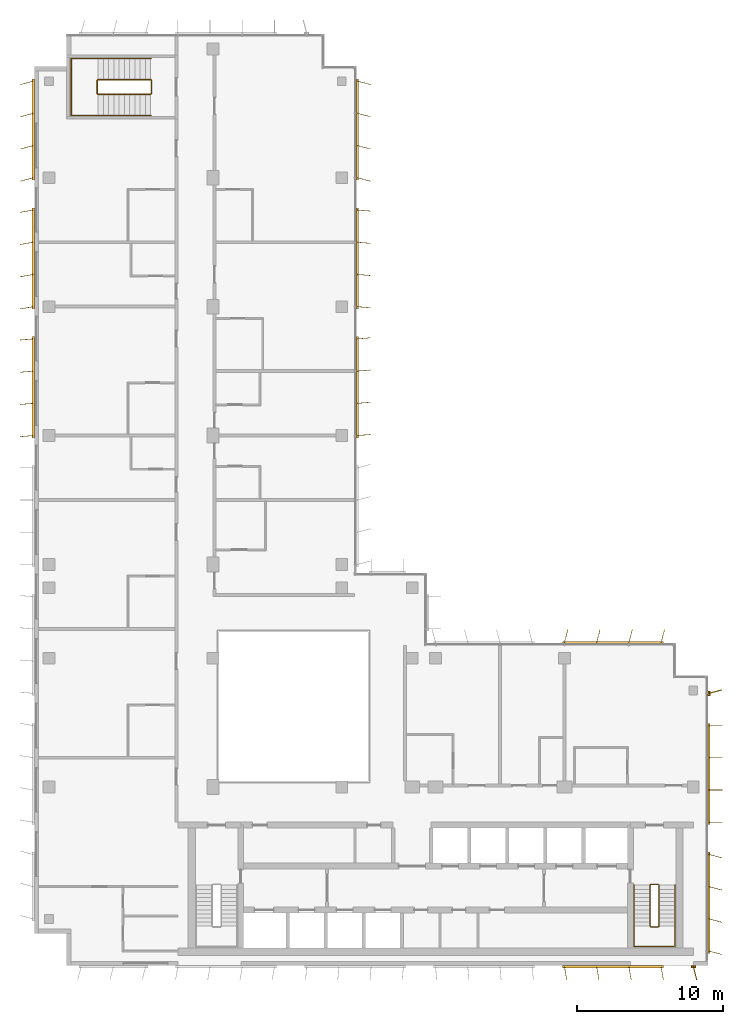
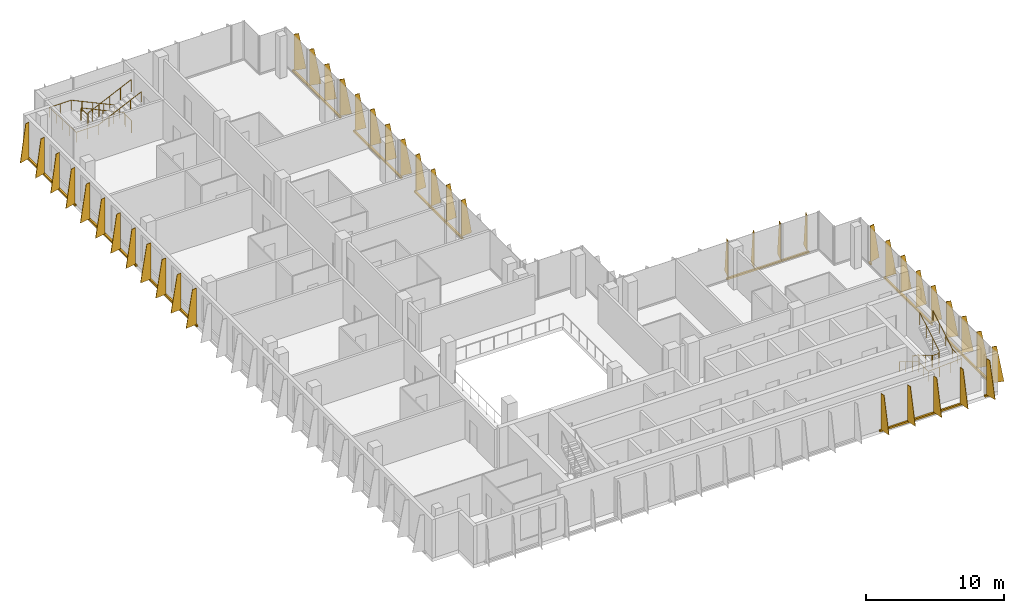
# One storey, part 15 of 16: 12 shading devices, 4 railings.
"""IFC4 building model written with IfcOpenShell, lengths in metres."""

from ifc_helpers import new_model, si_unit, direction, frame, origin, origin_2d, place, context, subcontext, project, spatial, polyline, rectangle, circle, outline, extrude, source, transform, mapped, material, layer, layer_set, type_object, element, save


model = new_model("IFC4")

# Units and contexts
model_context = context("Model", 3, precision=1e-05, world=origin(), true_north=direction((0.0, 1.0)))
body_context = subcontext(model_context, "Body", "Model", "MODEL_VIEW")
ifc_project = project(units=[si_unit("LENGTHUNIT", "METRE"), si_unit("AREAUNIT", "SQUARE_METRE"), si_unit("VOLUMEUNIT", "CUBIC_METRE"), si_unit("PLANEANGLEUNIT", "RADIAN"), si_unit("MASSUNIT", "GRAM", prefix="KILO")], contexts=[model_context])

# Site, building, storey
site_placement = place(None, origin())
site = spatial("IfcSite", under=ifc_project, at=site_placement, CompositionType="ELEMENT")
building_placement = place(site_placement, origin())
building = spatial("IfcBuilding", under=site, at=building_placement, Name="Kemantara Hotel Tower", CompositionType="ELEMENT")
storey_placement = place(building_placement, frame((0.0, 0.0, 272.199951171875)))
storey = spatial("IfcBuildingStorey", under=building, at=storey_placement, Name="L68", CompositionType="ELEMENT", Elevation=272.199951171875)

# Railings
ifc_material_1 = material(Name="Stainless steel balustrade", Category="steel")
railing_type_1 = type_object("IfcRailingType", Name="Stair guard 1100 mm", PredefinedType="GUARDRAIL", material=ifc_material_1)
railing_1_placement = place(storey_placement, frame((42.64990234375, 5.5, 3.699951171875)))
element("IfcRailing", 1, at=railing_1_placement, inside=storey, type_object=railing_type_1, Name="L68 ST2 stair guard 1", PredefinedType="GUARDRAIL", context=body_context, shape_type="SweptSolid", body=[
    extrude(circle(Radius=0.02392578125, at=origin_2d()), frame((0.0, 0.0, 1.076171875), z_axis=(0.0, -0.857275202839, -0.514858452973), x_axis=(1.0, 0.0, 0.0)), (0.0, 0.0, 1.0), 3.26611328125),
    extrude(circle(Radius=0.02392578125, at=origin_2d()), frame((0.0, -2.800048828125, -0.60546875), z_axis=(-0.273006030465, -0.27434429532, -0.922064485248), x_axis=(0.708833529934, -0.705375805398, 0.0)), (0.0, 0.0, 1.0), 0.182373046875),
    extrude(circle(Radius=0.02392578125, at=origin_2d()), frame((-0.0498046875, -2.85009765625, -0.77392578125), z_axis=(-1.0, 0.0, 0.0), x_axis=(0.0, -1.0, 0.0)), (0.0, 0.0, 1.0), 0.5),
    extrude(circle(Radius=0.02392578125, at=origin_2d()), frame((-0.5498046875, -2.85009765625, -0.77392578125), z_axis=(-0.707106781187, 0.707106781187, 0.0), x_axis=(-0.707106781187, -0.707106781187, 0.0)), (0.0, 0.0, 1.0), 0.07080078125),
    extrude(circle(Radius=0.02392578125, at=origin_2d()), frame((-0.599853515625, -2.800048828125, -0.77392578125), z_axis=(0.0, 0.857242210791, -0.514913383045), x_axis=(-1.0, 0.0, 0.0)), (0.0, 0.0, 1.0), 3.266357421875),
    extrude(circle(Radius=0.02392578125, at=origin_2d()), frame((-0.599853515625, 0.0, -2.45556640625), z_axis=(0.274243871929, 0.274243871929, -0.92172696468), x_axis=(-0.707106781187, 0.707106781187, 0.0)), (0.0, 0.0, 1.0), 0.1826171875),
    extrude(circle(Radius=0.02392578125, at=origin_2d()), frame((-0.5498046875, 0.050048828125, -2.6240234375), z_axis=(1.0, 0.0, 0.0), x_axis=(0.0, 1.0, 0.0)), (0.0, 0.0, 1.0), 0.5),
    extrude(circle(Radius=0.02099609375, at=origin_2d()), origin(), (0.0, 0.0, 1.0), 1.052001953125),
    extrude(circle(Radius=0.02099609375, at=origin_2d()), frame((0.0, -0.933349609375, -0.560546875)), (0.0, 0.0, 1.0), 1.052001953125),
    extrude(circle(Radius=0.02099609375, at=origin_2d()), frame((0.0, -1.86669921875, -1.12109375)), (0.0, 0.0, 1.0), 1.052001953125),
    extrude(circle(Radius=0.02099609375, at=origin_2d()), frame((0.0, -2.800048828125, -1.681640625)), (0.0, 0.0, 1.0), 1.052001953125),
    extrude(circle(Radius=0.02099609375, at=origin_2d()), frame((-0.0498046875, -2.85009765625, -1.849853515625)), (0.0, 0.0, 1.0), 1.052001953125),
    extrude(circle(Radius=0.02099609375, at=origin_2d()), frame((-0.5498046875, -2.85009765625, -1.849853515625)), (0.0, 0.0, 1.0), 1.052001953125),
    extrude(circle(Radius=0.02099609375, at=origin_2d()), frame((-0.599853515625, -2.800048828125, -1.849853515625)), (0.0, 0.0, 1.0), 1.052001953125),
    extrude(circle(Radius=0.02099609375, at=origin_2d()), frame((-0.599853515625, -1.86669921875, -2.410400390625)), (0.0, 0.0, 1.0), 1.052001953125),
    extrude(circle(Radius=0.02099609375, at=origin_2d()), frame((-0.599853515625, -0.933349609375, -2.97119140625)), (0.0, 0.0, 1.0), 1.052001953125),
    extrude(circle(Radius=0.02099609375, at=origin_2d()), frame((-0.599853515625, 0.0, -3.53173828125)), (0.0, 0.0, 1.0), 1.052001953125),
    extrude(circle(Radius=0.02099609375, at=origin_2d()), frame((-0.5498046875, 0.050048828125, -3.699951171875)), (0.0, 0.0, 1.0), 1.052001953125),
    extrude(circle(Radius=0.02099609375, at=origin_2d()), frame((-0.0498046875, 0.050048828125, -3.699951171875)), (0.0, 0.0, 1.0), 1.052001953125),
])
railing_2_placement = place(storey_placement, frame((7.949951171875, 59.5, 3.699951171875)))
element("IfcRailing", 2, at=railing_2_placement, inside=storey, type_object=railing_type_1, Name="L68 ST4 stair guard 1", PredefinedType="GUARDRAIL", context=body_context, shape_type="SweptSolid", body=[
    extrude(circle(Radius=0.02392578125, at=origin_2d()), frame((0.0, 0.0, 1.076171875), z_axis=(-0.906018243939, 0.0, -0.423238634402), x_axis=(0.0, -1.0, 0.0)), (0.0, 0.0, 1.0), 3.973388671875),
    extrude(circle(Radius=0.02392578125, at=origin_2d()), frame((-3.599853515625, 0.0, -0.60546875), z_axis=(-0.274243871929, 0.274243871929, -0.92172696468), x_axis=(-0.707106781187, -0.707106781187, 0.0)), (0.0, 0.0, 1.0), 0.1826171875),
    extrude(circle(Radius=0.02392578125, at=origin_2d()), frame((-3.64990234375, 0.050048828125, -0.77392578125), z_axis=(0.0, 1.0, 0.0), x_axis=(-1.0, 0.0, 0.0)), (0.0, 0.0, 1.0), 0.89990234375),
    extrude(circle(Radius=0.02392578125, at=origin_2d()), frame((-3.64990234375, 0.949951171875, -0.77392578125), z_axis=(0.707106781187, 0.707106781187, 0.0), x_axis=(-0.707106781187, 0.707106781187, 0.0)), (0.0, 0.0, 1.0), 0.07080078125),
    extrude(circle(Radius=0.02392578125, at=origin_2d()), frame((-3.599853515625, 1.0, -0.77392578125), z_axis=(0.905994681025, 0.0, -0.423289071386), x_axis=(0.0, 1.0, 0.0)), (0.0, 0.0, 1.0), 3.973388671875),
    extrude(circle(Radius=0.02392578125, at=origin_2d()), frame((0.0, 1.0, -2.45556640625), z_axis=(0.274243871929, -0.274243871929, -0.92172696468), x_axis=(0.707106781187, 0.707106781187, 0.0)), (0.0, 0.0, 1.0), 0.1826171875),
    extrude(circle(Radius=0.02392578125, at=origin_2d()), frame((0.050048828125, 0.949951171875, -2.6240234375), z_axis=(0.0, -1.0, 0.0), x_axis=(1.0, 0.0, 0.0)), (0.0, 0.0, 1.0), 0.89990234375),
    extrude(circle(Radius=0.02099609375, at=origin_2d()), origin(), (0.0, 0.0, 1.0), 1.052001953125),
    extrude(circle(Radius=0.02099609375, at=origin_2d()), frame((-0.89990234375, 0.0, -0.42041015625)), (0.0, 0.0, 1.0), 1.052001953125),
    extrude(circle(Radius=0.02099609375, at=origin_2d()), frame((-1.7998046875, 0.0, -0.8408203125)), (0.0, 0.0, 1.0), 1.052001953125),
    extrude(circle(Radius=0.02099609375, at=origin_2d()), frame((-2.699951171875, 0.0, -1.26123046875)), (0.0, 0.0, 1.0), 1.052001953125),
    extrude(circle(Radius=0.02099609375, at=origin_2d()), frame((-3.599853515625, 0.0, -1.681640625)), (0.0, 0.0, 1.0), 1.052001953125),
    extrude(circle(Radius=0.02099609375, at=origin_2d()), frame((-3.64990234375, 0.050048828125, -1.849853515625)), (0.0, 0.0, 1.0), 1.052001953125),
    extrude(circle(Radius=0.02099609375, at=origin_2d()), frame((-3.64990234375, 0.949951171875, -1.849853515625)), (0.0, 0.0, 1.0), 1.052001953125),
    extrude(circle(Radius=0.02099609375, at=origin_2d()), frame((-3.599853515625, 1.0, -1.849853515625)), (0.0, 0.0, 1.0), 1.052001953125),
    extrude(circle(Radius=0.02099609375, at=origin_2d()), frame((-2.699951171875, 1.0, -2.270263671875)), (0.0, 0.0, 1.0), 1.052001953125),
    extrude(circle(Radius=0.02099609375, at=origin_2d()), frame((-1.7998046875, 1.0, -2.69091796875)), (0.0, 0.0, 1.0), 1.052001953125),
    extrude(circle(Radius=0.02099609375, at=origin_2d()), frame((-0.89990234375, 1.0, -3.111328125)), (0.0, 0.0, 1.0), 1.052001953125),
    extrude(circle(Radius=0.02099609375, at=origin_2d()), frame((0.0, 1.0, -3.53173828125)), (0.0, 0.0, 1.0), 1.052001953125),
    extrude(circle(Radius=0.02099609375, at=origin_2d()), frame((0.050048828125, 0.949951171875, -3.699951171875)), (0.0, 0.0, 1.0), 1.052001953125),
    extrude(circle(Radius=0.02099609375, at=origin_2d()), frame((0.050048828125, 0.050048828125, -3.699951171875)), (0.0, 0.0, 1.0), 1.052001953125),
])
railing_type_2 = type_object("IfcRailingType", Name="Stair handrail 900 mm", PredefinedType="HANDRAIL", material=ifc_material_1)
railing_3_placement = place(storey_placement, frame((40.949951171875, 5.5, 0.168212890625)))
element("IfcRailing", 3, at=railing_3_placement, inside=storey, type_object=railing_type_2, Name="L68 ST2 stair handrail 1", PredefinedType="HANDRAIL", context=body_context, shape_type="SweptSolid", body=[
    extrude(circle(Radius=0.02392578125, at=origin_2d()), frame((0.0, 0.0, 0.8759765625), z_axis=(0.0, -0.857242210791, 0.514913383045), x_axis=(1.0, 0.0, 0.0)), (0.0, 0.0, 1.0), 3.266357421875),
    extrude(circle(Radius=0.02392578125, at=origin_2d()), frame((0.0, -2.800048828125, 2.5576171875), z_axis=(0.0, -1.0, 0.0), x_axis=(1.0, 0.0, 0.0)), (0.0, 0.0, 1.0), 1.3798828125),
    extrude(circle(Radius=0.02392578125, at=origin_2d()), frame((0.0, -4.179931640625, 2.5576171875), z_axis=(0.998200367801, 0.0, 0.059966871865), x_axis=(0.0, 1.0, 0.0)), (0.0, 0.0, 1.0), 2.80517578125),
    extrude(circle(Radius=0.02392578125, at=origin_2d()), frame((2.800048828125, -4.179931640625, 2.72607421875), z_axis=(0.0, 1.0, 0.0), x_axis=(-1.0, 0.0, 0.0)), (0.0, 0.0, 1.0), 1.3798828125),
    extrude(circle(Radius=0.02392578125, at=origin_2d()), frame((2.800048828125, -2.800048828125, 2.72607421875), z_axis=(0.0, 0.857275202839, 0.514858452973), x_axis=(-1.0, 0.0, 0.0)), (0.0, 0.0, 1.0), 3.26611328125),
    extrude(circle(Radius=0.02099609375, at=origin_2d()), origin(), (0.0, 0.0, 1.0), 0.851806640625),
    extrude(circle(Radius=0.02099609375, at=origin_2d()), frame((0.0, -0.933349609375, 0.560546875)), (0.0, 0.0, 1.0), 0.851806640625),
    extrude(circle(Radius=0.02099609375, at=origin_2d()), frame((0.0, -1.86669921875, 1.121337890625)), (0.0, 0.0, 1.0), 0.851806640625),
    extrude(circle(Radius=0.02099609375, at=origin_2d()), frame((0.0, -2.800048828125, 1.681884765625)), (0.0, 0.0, 1.0), 0.851806640625),
    extrude(circle(Radius=0.02099609375, at=origin_2d()), frame((0.0, -3.489990234375, 1.681884765625)), (0.0, 0.0, 1.0), 0.851806640625),
    extrude(circle(Radius=0.02099609375, at=origin_2d()), frame((0.0, -4.179931640625, 1.681884765625)), (0.0, 0.0, 1.0), 0.851806640625),
    extrude(circle(Radius=0.02099609375, at=origin_2d()), frame((0.933349609375, -4.179931640625, 1.738037109375)), (0.0, 0.0, 1.0), 0.851806640625),
    extrude(circle(Radius=0.02099609375, at=origin_2d()), frame((1.86669921875, -4.179931640625, 1.7939453125)), (0.0, 0.0, 1.0), 0.851806640625),
    extrude(circle(Radius=0.02099609375, at=origin_2d()), frame((2.800048828125, -4.179931640625, 1.85009765625)), (0.0, 0.0, 1.0), 0.851806640625),
    extrude(circle(Radius=0.02099609375, at=origin_2d()), frame((2.800048828125, -3.489990234375, 1.85009765625)), (0.0, 0.0, 1.0), 0.851806640625),
    extrude(circle(Radius=0.02099609375, at=origin_2d()), frame((2.800048828125, -2.800048828125, 1.85009765625)), (0.0, 0.0, 1.0), 0.851806640625),
    extrude(circle(Radius=0.02099609375, at=origin_2d()), frame((2.800048828125, -1.86669921875, 2.41064453125)), (0.0, 0.0, 1.0), 0.851806640625),
    extrude(circle(Radius=0.02099609375, at=origin_2d()), frame((2.800048828125, -0.933349609375, 2.97119140625)), (0.0, 0.0, 1.0), 0.851806640625),
    extrude(circle(Radius=0.02099609375, at=origin_2d()), frame((2.800048828125, 0.0, 3.53173828125)), (0.0, 0.0, 1.0), 0.851806640625),
])
railing_4_placement = place(storey_placement, frame((7.949951171875, 61.949951171875, 0.168212890625)))
element("IfcRailing", 4, at=railing_4_placement, inside=storey, type_object=railing_type_2, Name="L68 ST4 stair handrail 1", PredefinedType="HANDRAIL", context=body_context, shape_type="SweptSolid", body=[
    extrude(circle(Radius=0.02392578125, at=origin_2d()), frame((0.0, 0.0, 0.8759765625), z_axis=(-0.905994681025, 0.0, 0.423289071386), x_axis=(0.0, -1.0, 0.0)), (0.0, 0.0, 1.0), 3.973388671875),
    extrude(circle(Radius=0.02392578125, at=origin_2d()), frame((-3.599853515625, 0.0, 2.5576171875), z_axis=(-1.0, 0.0, 0.0), x_axis=(0.0, -1.0, 0.0)), (0.0, 0.0, 1.0), 1.830078125),
    extrude(circle(Radius=0.02392578125, at=origin_2d()), frame((-5.429931640625, 0.0, 2.5576171875), z_axis=(0.0, -0.999071085748, 0.043092523981), x_axis=(1.0, 0.0, 0.0)), (0.0, 0.0, 1.0), 3.903564453125),
    extrude(circle(Radius=0.02392578125, at=origin_2d()), frame((-5.429931640625, -3.89990234375, 2.72607421875), z_axis=(1.0, 0.0, 0.0), x_axis=(0.0, 1.0, 0.0)), (0.0, 0.0, 1.0), 1.830078125),
    extrude(circle(Radius=0.02392578125, at=origin_2d()), frame((-3.599853515625, -3.89990234375, 2.72607421875), z_axis=(0.906018243939, 0.0, 0.423238634402), x_axis=(0.0, 1.0, 0.0)), (0.0, 0.0, 1.0), 3.973388671875),
    extrude(circle(Radius=0.02099609375, at=origin_2d()), origin(), (0.0, 0.0, 1.0), 0.851806640625),
    extrude(circle(Radius=0.02099609375, at=origin_2d()), frame((-0.89990234375, 0.0, 0.42041015625)), (0.0, 0.0, 1.0), 0.851806640625),
    extrude(circle(Radius=0.02099609375, at=origin_2d()), frame((-1.7998046875, 0.0, 0.8408203125)), (0.0, 0.0, 1.0), 0.851806640625),
    extrude(circle(Radius=0.02099609375, at=origin_2d()), frame((-2.699951171875, 0.0, 1.261474609375)), (0.0, 0.0, 1.0), 0.851806640625),
    extrude(circle(Radius=0.02099609375, at=origin_2d()), frame((-3.599853515625, 0.0, 1.681884765625)), (0.0, 0.0, 1.0), 0.851806640625),
    extrude(circle(Radius=0.02099609375, at=origin_2d()), frame((-4.514892578125, 0.0, 1.681884765625)), (0.0, 0.0, 1.0), 0.851806640625),
    extrude(circle(Radius=0.02099609375, at=origin_2d()), frame((-5.429931640625, 0.0, 1.681884765625)), (0.0, 0.0, 1.0), 0.851806640625),
    extrude(circle(Radius=0.02099609375, at=origin_2d()), frame((-5.429931640625, -0.97509765625, 1.723876953125)), (0.0, 0.0, 1.0), 0.851806640625),
    extrude(circle(Radius=0.02099609375, at=origin_2d()), frame((-5.429931640625, -1.949951171875, 1.76611328125)), (0.0, 0.0, 1.0), 0.851806640625),
    extrude(circle(Radius=0.02099609375, at=origin_2d()), frame((-5.429931640625, -2.9248046875, 1.80810546875)), (0.0, 0.0, 1.0), 0.851806640625),
    extrude(circle(Radius=0.02099609375, at=origin_2d()), frame((-5.429931640625, -3.89990234375, 1.85009765625)), (0.0, 0.0, 1.0), 0.851806640625),
    extrude(circle(Radius=0.02099609375, at=origin_2d()), frame((-4.514892578125, -3.89990234375, 1.85009765625)), (0.0, 0.0, 1.0), 0.851806640625),
    extrude(circle(Radius=0.02099609375, at=origin_2d()), frame((-3.599853515625, -3.89990234375, 1.85009765625)), (0.0, 0.0, 1.0), 0.851806640625),
    extrude(circle(Radius=0.02099609375, at=origin_2d()), frame((-2.699951171875, -3.89990234375, 2.2705078125)), (0.0, 0.0, 1.0), 0.851806640625),
    extrude(circle(Radius=0.02099609375, at=origin_2d()), frame((-1.7998046875, -3.89990234375, 2.69091796875)), (0.0, 0.0, 1.0), 0.851806640625),
    extrude(circle(Radius=0.02099609375, at=origin_2d()), frame((-0.89990234375, -3.89990234375, 3.111328125)), (0.0, 0.0, 1.0), 0.851806640625),
    extrude(circle(Radius=0.02099609375, at=origin_2d()), frame((0.0, -3.89990234375, 3.53173828125)), (0.0, 0.0, 1.0), 0.851806640625),
])

# Shading devices
ifc_material_2 = material(Name="Perforated aluminium plate 4 mm bronze anodised", Category="aluminium")
ifc_layer_1 = layer(ifc_material_2, 0.0400390625)
ifc_layer_set_1 = layer_set([ifc_layer_1], Name="Perforated aluminium plate 4 mm bronze anodised")
shading_device_type_1 = type_object("IfcShadingDeviceType", Name="SCREEN FIN CASSETTE, 4 BLADES AT -5.0 DEG, 3200 HIGH", PredefinedType="USERDEFINED", material=ifc_layer_set_1)
shared_shape_1 = source(origin(), body_context, "Body", "SweptSolid", [
    extrude(rectangle(XDim=6.89990234375, YDim=0.14990234375, at=origin_2d()), frame((3.300048828125, -0.074951171875, -0.14990234375), z_axis=(0.0, 0.0, 1.0), x_axis=(1.0, 0.0, 0.0)), (0.0, 0.0, 1.0), 0.14990234375),
    extrude(outline(polyline([(0.0, 0.0), (0.89990234375, 0.0), (0.35009765625, 3.199951171875), (0.0, 3.199951171875), (0.0, 0.0)])), frame((0.02001953125, -0.07666015625, 0.0), z_axis=(-0.996376129781, 0.085056498884, 0.0), x_axis=(-0.085056498884, -0.996376129781, 0.0)), (0.0, 0.0, 1.0), 0.040283203125),
    extrude(outline(polyline([(0.0, 0.0), (0.89990234375, 0.0), (0.35009765625, 3.199951171875), (0.0, 3.199951171875), (0.0, 0.0)])), frame((2.219970703125, -0.07666015625, 0.0), z_axis=(-0.996331773833, 0.085574508182, 0.0), x_axis=(-0.085574508182, -0.996331773833, 0.0)), (0.0, 0.0, 1.0), 0.0400390625),
    extrude(outline(polyline([(0.0, 0.0), (0.89990234375, 0.0), (0.35009765625, 3.199951171875), (0.0, 3.199951171875), (0.0, 0.0)])), frame((4.419921875, -0.07666015625, 0.0), z_axis=(-0.996331773833, 0.085574508182, 0.0), x_axis=(-0.085574508182, -0.996331773833, 0.0)), (0.0, 0.0, 1.0), 0.0400390625),
    extrude(outline(polyline([(0.0, 0.0), (0.89990234375, 0.0), (0.35009765625, 3.199951171875), (0.0, 3.199951171875), (0.0, 0.0)])), frame((6.619873046875, -0.07666015625, 0.0), z_axis=(-0.996331773833, 0.085574508182, 0.0), x_axis=(-0.085574508182, -0.996331773833, 0.0)), (0.0, 0.0, 1.0), 0.0400390625),
])
shading_device_1_placement = place(storey_placement, frame((22.0, 45.0, 0.10009765625), z_axis=(0.0, 0.0, 1.0), x_axis=(0.0, 1.0, 0.0)))
element("IfcShadingDevice", 5, at=shading_device_1_placement, inside=storey, type_object=shading_device_type_1, Name="SCREEN FIN CASSETTE L68 T4-R15-3", ObjectType="SCREEN FIN", PredefinedType="USERDEFINED", context=body_context, shape_type="MappedRepresentation", body=[
    mapped(shared_shape_1, transform((0.0, 0.0, 0.0))),
])
ifc_layer_2 = layer(ifc_material_2, 0.0400390625)
ifc_layer_set_2 = layer_set([ifc_layer_2], Name="Perforated aluminium plate 4 mm bronze anodised")
shading_device_type_2 = type_object("IfcShadingDeviceType", Name="SCREEN FIN CASSETTE, 4 BLADES AT +0.0 DEG, 3200 HIGH", PredefinedType="USERDEFINED", material=ifc_layer_set_2)
shared_shape_2 = source(origin(), body_context, "Body", "SweptSolid", [
    extrude(rectangle(XDim=6.89990234375, YDim=0.14990234375, at=origin_2d()), frame((3.300048828125, -0.074951171875, -0.14990234375), z_axis=(0.0, 0.0, 1.0), x_axis=(1.0, 0.0, 0.0)), (0.0, 0.0, 1.0), 0.14990234375),
    extrude(outline(polyline([(0.0, 0.0), (0.89990234375, 0.0), (0.35009765625, 3.199951171875), (0.0, 3.199951171875), (0.0, 0.0)])), frame((0.02001953125, -0.074951171875, 0.0), z_axis=(-1.0, 0.0, 0.0), x_axis=(0.0, -1.0, 0.0)), (0.0, 0.0, 1.0), 0.0400390625),
    extrude(outline(polyline([(0.0, 0.0), (0.89990234375, 0.0), (0.35009765625, 3.199951171875), (0.0, 3.199951171875), (0.0, 0.0)])), frame((2.219970703125, -0.074951171875, 0.0), z_axis=(-1.0, 0.0, 0.0), x_axis=(0.0, -1.0, 0.0)), (0.0, 0.0, 1.0), 0.0400390625),
    extrude(outline(polyline([(0.0, 0.0), (0.89990234375, 0.0), (0.35009765625, 3.199951171875), (0.0, 3.199951171875), (0.0, 0.0)])), frame((4.419921875, -0.074951171875, 0.0), z_axis=(-1.0, 0.0, 0.0), x_axis=(0.0, -1.0, 0.0)), (0.0, 0.0, 1.0), 0.0400390625),
    extrude(outline(polyline([(0.0, 0.0), (0.89990234375, 0.0), (0.35009765625, 3.199951171875), (0.0, 3.199951171875), (0.0, 0.0)])), frame((6.6201171875, -0.074951171875, 0.0), z_axis=(-1.0, 0.0, 0.0), x_axis=(0.0, -1.0, 0.0)), (0.0, 0.0, 1.0), 0.0400390625),
])
shading_device_2_placement = place(storey_placement, frame((46.0, 9.800048828125, 0.10009765625), z_axis=(0.0, 0.0, 1.0), x_axis=(0.0, 1.0, 0.0)))
element("IfcShadingDevice", 6, at=shading_device_2_placement, inside=storey, type_object=shading_device_type_2, Name="SCREEN FIN CASSETTE L68 T4-R09-2", ObjectType="SCREEN FIN", PredefinedType="USERDEFINED", context=body_context, shape_type="MappedRepresentation", body=[
    mapped(shared_shape_2, transform((0.0, 0.0, 0.0))),
])
ifc_layer_3 = layer(ifc_material_2, 0.0400390625)
ifc_layer_set_3 = layer_set([ifc_layer_3], Name="Perforated aluminium plate 4 mm bronze anodised")
shading_device_type_3 = type_object("IfcShadingDeviceType", Name="SCREEN FIN CASSETTE, 4 BLADES AT +5.0 DEG, 3200 HIGH", PredefinedType="USERDEFINED", material=ifc_layer_set_3)
shared_shape_3 = source(origin(), body_context, "Body", "SweptSolid", [
    extrude(rectangle(XDim=6.89990234375, YDim=0.14990234375, at=origin_2d()), frame((3.300048828125, -0.074951171875, -0.14990234375), z_axis=(0.0, 0.0, 1.0), x_axis=(1.0, 0.0, 0.0)), (0.0, 0.0, 1.0), 0.14990234375),
    extrude(outline(polyline([(0.0, 0.0), (0.89990234375, 0.0), (0.35009765625, 3.199951171875), (0.0, 3.199951171875), (0.0, 0.0)])), frame((0.02001953125, -0.0732421875, 0.0), z_axis=(-0.996376129781, -0.085056498884, 0.0), x_axis=(0.085056498884, -0.996376129781, 0.0)), (0.0, 0.0, 1.0), 0.040283203125),
    extrude(outline(polyline([(0.0, 0.0), (0.89990234375, 0.0), (0.35009765625, 3.199951171875), (0.0, 3.199951171875), (0.0, 0.0)])), frame((2.219970703125, -0.0732421875, 0.0), z_axis=(-0.996331773833, -0.085574508182, 0.0), x_axis=(0.085574508182, -0.996331773833, 0.0)), (0.0, 0.0, 1.0), 0.0400390625),
    extrude(outline(polyline([(0.0, 0.0), (0.89990234375, 0.0), (0.35009765625, 3.199951171875), (0.0, 3.199951171875), (0.0, 0.0)])), frame((4.419921875, -0.0732421875, 0.0), z_axis=(-0.996331773833, -0.085574508182, 0.0), x_axis=(0.085574508182, -0.996331773833, 0.0)), (0.0, 0.0, 1.0), 0.0400390625),
    extrude(outline(polyline([(0.0, 0.0), (0.89990234375, 0.0), (0.35009765625, 3.199951171875), (0.0, 3.199951171875), (0.0, 0.0)])), frame((6.619873046875, -0.0732421875, 0.0), z_axis=(-0.996331773833, -0.085574508182, 0.0), x_axis=(0.085574508182, -0.996331773833, 0.0)), (0.0, 0.0, 1.0), 0.0400390625),
])
for number, where, z_axis, x_axis, name in (
    (7, (0.0, 42.800048828125, 0.10009765625), (0.0, 0.0, 1.0), (0.0, -1.0, 0.0), "SCREEN FIN CASSETTE L68 T4-R05-3"),
    (8, (22.0, 36.199951171875, 0.10009765625), (0.0, 0.0, 1.0), (0.0, 1.0, 0.0), "SCREEN FIN CASSETTE L68 T4-R15-2"),
):
    element("IfcShadingDevice", number, at=place(storey_placement, frame(where, z_axis=z_axis, x_axis=x_axis)), inside=storey, type_object=shading_device_type_3, Name=name, ObjectType="SCREEN FIN", PredefinedType="USERDEFINED", context=body_context, shape_type="MappedRepresentation", body=[
        mapped(shared_shape_3, transform((0.0, 0.0, 0.0))),
    ])
ifc_layer_4 = layer(ifc_material_2, 0.0400390625)
ifc_layer_set_4 = layer_set([ifc_layer_4], Name="Perforated aluminium plate 4 mm bronze anodised")
shading_device_type_4 = type_object("IfcShadingDeviceType", Name="SCREEN FIN CASSETTE, 4 BLADES AT +10.0 DEG, 3200 HIGH", PredefinedType="USERDEFINED", material=ifc_layer_set_4)
shared_shape_4 = source(origin(), body_context, "Body", "SweptSolid", [
    extrude(rectangle(XDim=6.89990234375, YDim=0.14990234375, at=origin_2d()), frame((3.300048828125, -0.074951171875, -0.14990234375), z_axis=(0.0, 0.0, 1.0), x_axis=(1.0, 0.0, 0.0)), (0.0, 0.0, 1.0), 0.14990234375),
    extrude(outline(polyline([(0.0, 0.0), (0.89990234375, 0.0), (0.35009765625, 3.199951171875), (0.0, 3.199951171875), (0.0, 0.0)])), frame((0.019775390625, -0.071533203125, 0.0), z_axis=(-0.985389793052, -0.170314285219, 0.0), x_axis=(0.170314285219, -0.985389793052, 0.0)), (0.0, 0.0, 1.0), 0.0400390625),
    extrude(outline(polyline([(0.0, 0.0), (0.89990234375, 0.0), (0.35009765625, 3.199951171875), (0.0, 3.199951171875), (0.0, 0.0)])), frame((2.2197265625, -0.071533203125, 0.0), z_axis=(-0.98521175482, -0.171341174751, 0.0), x_axis=(0.171341174751, -0.98521175482, 0.0)), (0.0, 0.0, 1.0), 0.039794921875),
    extrude(outline(polyline([(0.0, 0.0), (0.89990234375, 0.0), (0.35009765625, 3.199951171875), (0.0, 3.199951171875), (0.0, 0.0)])), frame((4.419677734375, -0.071533203125, 0.0), z_axis=(-0.98521175482, -0.171341174751, 0.0), x_axis=(0.171341174751, -0.98521175482, 0.0)), (0.0, 0.0, 1.0), 0.039794921875),
    extrude(outline(polyline([(0.0, 0.0), (0.89990234375, 0.0), (0.35009765625, 3.199951171875), (0.0, 3.199951171875), (0.0, 0.0)])), frame((6.61962890625, -0.071533203125, 0.0), z_axis=(-0.98521175482, -0.171341174751, 0.0), x_axis=(0.171341174751, -0.98521175482, 0.0)), (0.0, 0.0, 1.0), 0.039794921875),
])
for number, where, z_axis, x_axis, name in (
    (9, (0.0, 51.60009765625, 0.10009765625), (0.0, 0.0, 1.0), (0.0, -1.0, 0.0), "SCREEN FIN CASSETTE L68 T4-R05-2"),
    (10, (36.199951171875, 0.0, 0.10009765625), (0.0, 0.0, 1.0), (1.0, 0.0, 0.0), "SCREEN FIN CASSETTE L68 T4-R08-5"),
):
    element("IfcShadingDevice", number, at=place(storey_placement, frame(where, z_axis=z_axis, x_axis=x_axis)), inside=storey, type_object=shading_device_type_4, Name=name, ObjectType="SCREEN FIN", PredefinedType="USERDEFINED", context=body_context, shape_type="MappedRepresentation", body=[
        mapped(shared_shape_4, transform((0.0, 0.0, 0.0))),
    ])
ifc_layer_5 = layer(ifc_material_2, 0.0400390625)
ifc_layer_set_5 = layer_set([ifc_layer_5], Name="Perforated aluminium plate 4 mm bronze anodised")
shading_device_type_5 = type_object("IfcShadingDeviceType", Name="SCREEN FIN CASSETTE, 4 BLADES AT +15.0 DEG, 3200 HIGH", PredefinedType="USERDEFINED", material=ifc_layer_set_5)
shared_shape_5 = source(origin(), body_context, "Body", "SweptSolid", [
    extrude(rectangle(XDim=6.89990234375, YDim=0.14990234375, at=origin_2d()), frame((3.300048828125, -0.074951171875, -0.14990234375), z_axis=(0.0, 0.0, 1.0), x_axis=(1.0, 0.0, 0.0)), (0.0, 0.0, 1.0), 0.14990234375),
    extrude(outline(polyline([(0.0, 0.0), (0.89990234375, 0.0), (0.35009765625, 3.199951171875), (0.0, 3.199951171875), (0.0, 0.0)])), frame((0.019287109375, -0.06982421875, 0.0), z_axis=(-0.966437683387, -0.256901156343, 0.0), x_axis=(0.256901156343, -0.966437683387, 0.0)), (0.0, 0.0, 1.0), 0.039794921875),
    extrude(outline(polyline([(0.0, 0.0), (0.89990234375, 0.0), (0.35009765625, 3.199951171875), (0.0, 3.199951171875), (0.0, 0.0)])), frame((2.21923828125, -0.06982421875, 0.0), z_axis=(-0.966437683387, -0.256901156343, 0.0), x_axis=(0.256901156343, -0.966437683387, 0.0)), (0.0, 0.0, 1.0), 0.039794921875),
    extrude(outline(polyline([(0.0, 0.0), (0.89990234375, 0.0), (0.35009765625, 3.199951171875), (0.0, 3.199951171875), (0.0, 0.0)])), frame((4.41943359375, -0.06982421875, 0.0), z_axis=(-0.966837822169, -0.255391122837, 0.0), x_axis=(0.255391122837, -0.966837822169, 0.0)), (0.0, 0.0, 1.0), 0.0400390625),
    extrude(outline(polyline([(0.0, 0.0), (0.89990234375, 0.0), (0.35009765625, 3.199951171875), (0.0, 3.199951171875), (0.0, 0.0)])), frame((6.619384765625, -0.06982421875, 0.0), z_axis=(-0.966837822169, -0.255391122837, 0.0), x_axis=(0.255391122837, -0.966837822169, 0.0)), (0.0, 0.0, 1.0), 0.0400390625),
])
shading_device_3_placement = place(storey_placement, frame((0.0, 60.39990234375, 0.10009765625), z_axis=(0.0, 0.0, 1.0), x_axis=(0.0, -1.0, 0.0)))
element("IfcShadingDevice", 11, at=shading_device_3_placement, inside=storey, type_object=shading_device_type_5, Name="SCREEN FIN CASSETTE L68 T4-R05-1", ObjectType="SCREEN FIN", PredefinedType="USERDEFINED", context=body_context, shape_type="MappedRepresentation", body=[
    mapped(shared_shape_5, transform((0.0, 0.0, 0.0))),
])
ifc_layer_6 = layer(ifc_material_2, 0.0400390625)
ifc_layer_set_6 = layer_set([ifc_layer_6], Name="Perforated aluminium plate 4 mm bronze anodised")
shading_device_type_6 = type_object("IfcShadingDeviceType", Name="SCREEN FIN CASSETTE, 4 BLADES AT -15.0 DEG, 3200 HIGH", PredefinedType="USERDEFINED", material=ifc_layer_set_6)
shared_shape_6 = source(origin(), body_context, "Body", "SweptSolid", [
    extrude(rectangle(XDim=6.89990234375, YDim=0.14990234375, at=origin_2d()), frame((3.300048828125, -0.074951171875, -0.14990234375), z_axis=(0.0, 0.0, 1.0), x_axis=(1.0, 0.0, 0.0)), (0.0, 0.0, 1.0), 0.14990234375),
    extrude(outline(polyline([(0.0, 0.0), (0.89990234375, 0.0), (0.35009765625, 3.199951171875), (0.0, 3.199951171875), (0.0, 0.0)])), frame((0.019287109375, -0.080078125, 0.0), z_axis=(-0.966437683387, 0.256901156343, 0.0), x_axis=(-0.256901156343, -0.966437683387, 0.0)), (0.0, 0.0, 1.0), 0.039794921875),
    extrude(outline(polyline([(0.0, 0.0), (0.89990234375, 0.0), (0.35009765625, 3.199951171875), (0.0, 3.199951171875), (0.0, 0.0)])), frame((2.21923828125, -0.080078125, 0.0), z_axis=(-0.966437683387, 0.256901156343, 0.0), x_axis=(-0.256901156343, -0.966437683387, 0.0)), (0.0, 0.0, 1.0), 0.039794921875),
    extrude(outline(polyline([(0.0, 0.0), (0.89990234375, 0.0), (0.35009765625, 3.199951171875), (0.0, 3.199951171875), (0.0, 0.0)])), frame((4.41943359375, -0.080078125, 0.0), z_axis=(-0.966837822169, 0.255391122837, 0.0), x_axis=(-0.255391122837, -0.966837822169, 0.0)), (0.0, 0.0, 1.0), 0.0400390625),
    extrude(outline(polyline([(0.0, 0.0), (0.89990234375, 0.0), (0.35009765625, 3.199951171875), (0.0, 3.199951171875), (0.0, 0.0)])), frame((6.619384765625, -0.080078125, 0.0), z_axis=(-0.966837822169, 0.255391122837, 0.0), x_axis=(-0.255391122837, -0.966837822169, 0.0)), (0.0, 0.0, 1.0), 0.0400390625),
])
for number, where, z_axis, x_axis, name in (
    (12, (46.0, 1.0, 0.10009765625), (0.0, 0.0, 1.0), (0.0, 1.0, 0.0), "SCREEN FIN CASSETTE L68 T4-R09-1"),
    (13, (42.800048828125, 22.0, 0.10009765625), (0.0, 0.0, 1.0), (-1.0, 0.0, 0.0), "SCREEN FIN CASSETTE L68 T4-R12-1"),
    (14, (22.0, 53.800048828125, 0.10009765625), (0.0, 0.0, 1.0), (0.0, 1.0, 0.0), "SCREEN FIN CASSETTE L68 T4-R15-4"),
):
    element("IfcShadingDevice", number, at=place(storey_placement, frame(where, z_axis=z_axis, x_axis=x_axis)), inside=storey, type_object=shading_device_type_6, Name=name, ObjectType="SCREEN FIN", PredefinedType="USERDEFINED", context=body_context, shape_type="MappedRepresentation", body=[
        mapped(shared_shape_6, transform((0.0, 0.0, 0.0))),
    ])
ifc_layer_7 = layer(ifc_material_2, 0.0400390625)
ifc_layer_set_7 = layer_set([ifc_layer_7], Name="Perforated aluminium plate 4 mm bronze anodised")
shading_device_type_7 = type_object("IfcShadingDeviceType", Name="SCREEN FIN CASSETTE, 1 BLADE AT +15.0 DEG, 3200 HIGH", PredefinedType="USERDEFINED", material=ifc_layer_set_7)
shared_shape_7 = source(origin(), body_context, "Body", "SweptSolid", [
    extrude(rectangle(XDim=0.300048828125, YDim=0.14990234375, at=origin_2d()), frame((0.0, -0.074951171875, -0.14990234375), z_axis=(0.0, 0.0, 1.0), x_axis=(1.0, 0.0, 0.0)), (0.0, 0.0, 1.0), 0.14990234375),
    extrude(outline(polyline([(0.0, 0.0), (0.89990234375, 0.0), (0.35009765625, 3.199951171875), (0.0, 3.199951171875), (0.0, 0.0)])), frame((0.019287109375, -0.06982421875, 0.0), z_axis=(-0.966437683387, -0.256901156343, 0.0), x_axis=(0.256901156343, -0.966437683387, 0.0)), (0.0, 0.0, 1.0), 0.039794921875),
])
for number, where, z_axis, x_axis, name in (
    (15, (45.0, 0.0, 0.10009765625), (0.0, 0.0, 1.0), (1.0, 0.0, 0.0), "SCREEN FIN CASSETTE L68 T4-R08-6"),
    (16, (46.0, 18.60009765625, 0.10009765625), (0.0, 0.0, 1.0), (0.0, 1.0, 0.0), "SCREEN FIN CASSETTE L68 T4-R09-3"),
):
    element("IfcShadingDevice", number, at=place(storey_placement, frame(where, z_axis=z_axis, x_axis=x_axis)), inside=storey, type_object=shading_device_type_7, Name=name, ObjectType="SCREEN FIN", PredefinedType="USERDEFINED", context=body_context, shape_type="MappedRepresentation", body=[
        mapped(shared_shape_7, transform((0.0, 0.0, 0.0))),
    ])

save(model, "model.ifc")
